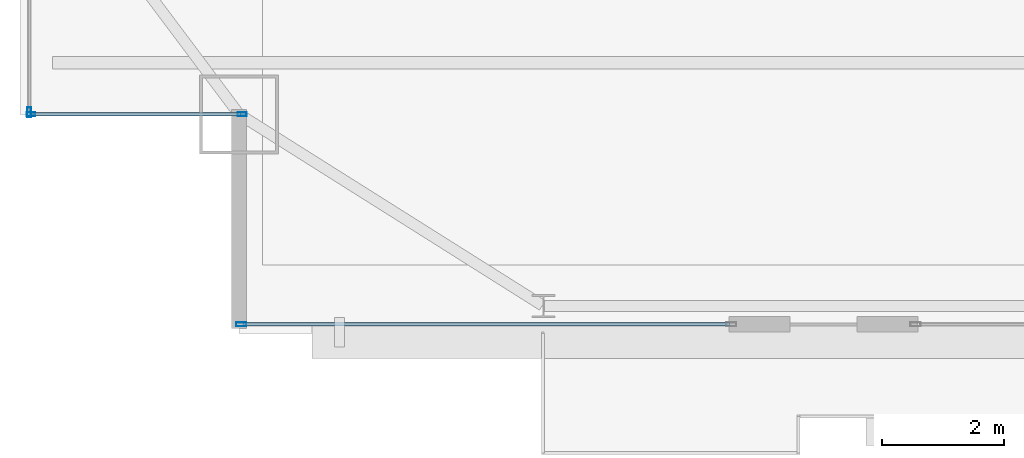
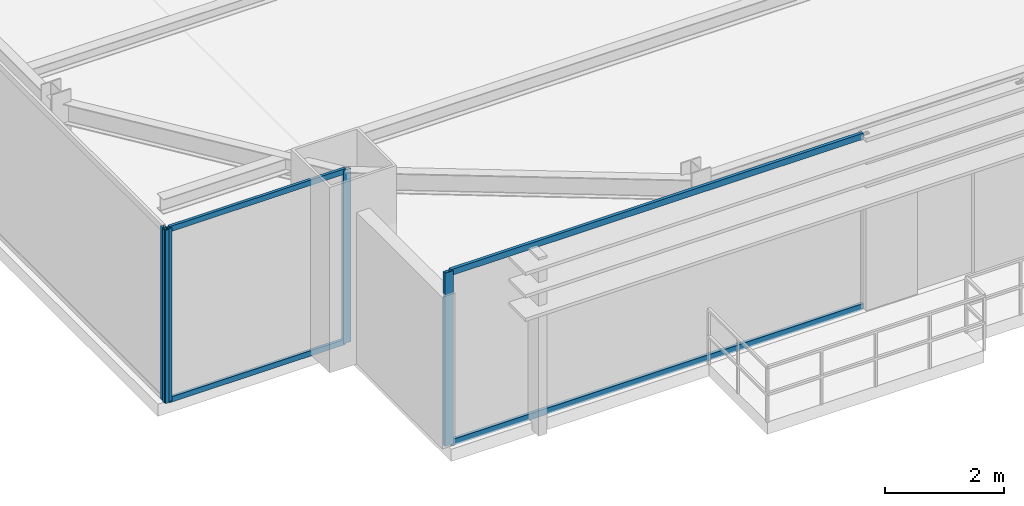
# One storey, part 4 of 32: 8 members, 3 elements without a shape of their own.
"""IFC4 building model written with IfcOpenShell, lengths in metres."""

from ifc_helpers import new_model, si_unit, direction, frame, origin, origin_2d, place, context, subcontext, project, spatial, hollow_rectangle, extrude, source, transform, mapped, material, layer, layer_set, material_profile, profile_set, type_object, type_shapes, element, aggregate, save


model = new_model("IFC4")

# Units and contexts
model_context = context("Model", 3, precision=1e-05, world=origin(), true_north=direction((0.0, 1.0)))
body_context = subcontext(model_context, "Body", "Model", "MODEL_VIEW")
ifc_project = project(units=[si_unit("LENGTHUNIT", "METRE"), si_unit("AREAUNIT", "SQUARE_METRE"), si_unit("VOLUMEUNIT", "CUBIC_METRE"), si_unit("PLANEANGLEUNIT", "RADIAN"), si_unit("MASSUNIT", "GRAM", prefix="KILO")], contexts=[model_context])

# Site, building, storey
site_placement = place(None, origin())
site = spatial("IfcSite", under=ifc_project, at=site_placement, CompositionType="ELEMENT")
building_placement = place(site_placement, origin())
building = spatial("IfcBuilding", under=site, at=building_placement, Name="Varnel Quay Broadcast Tower", CompositionType="ELEMENT")
storey_placement = place(building_placement, frame((0.0, 0.0, 164.800048828125)))
storey = spatial("IfcBuildingStorey", under=building, at=storey_placement, Name="L40", CompositionType="ELEMENT", Elevation=164.800048828125)

# Curtain wall, members
ifc_material = material(Name="Anodised Bronze Aluminium 6063-T6", Category="aluminium")
ifc_layer_1 = layer(ifc_material, 0.18994140625, Name="Anodised Bronze Aluminium 6063-T6")
ifc_layer_set_1 = layer_set([ifc_layer_1], Name="Anodised Bronze Aluminium 6063-T6")
curtain_wall_type_1 = type_object("IfcCurtainWallType", Name="CW_NotchCorner", PredefinedType="NOTDEFINED", material=ifc_layer_set_1)
curtain_wall_1_placement = place(storey_placement, origin())
curtain_wall_1 = element("IfcCurtainWall", 1, at=curtain_wall_1_placement, inside=storey, type_object=curtain_wall_type_1, Name="L40 SW Notch Curtain Wall", PredefinedType="NOTDEFINED")
ifc_material_profile_1 = material_profile(ifc_material, hollow_rectangle(XDim=0.054931640625, YDim=0.110107421875, WallThickness=0.0029296875, at=origin_2d()), Name="ALU55X110X3")
ifc_profile_set_1 = profile_set([ifc_material_profile_1], Name="Anodised Bronze Aluminium 6063-T6")
member_type_1 = type_object("IfcMemberType", Name="Tran_CWS-04", PredefinedType="USERDEFINED", material=ifc_profile_set_1)
shared_shape_1 = source(origin(), body_context, "Body", "SweptSolid", [
    extrude(hollow_rectangle(XDim=0.054931640625, YDim=0.110107421875, WallThickness=0.0029296875, at=origin_2d()), origin(), (0.0, 0.0, 1.0), 3.41015625),
])
type_shapes(member_type_1, [shared_shape_1])
member_1_placement = place(storey_placement, frame((7.2099609375, 10.800048828125, 0.02734375), z_axis=(1.0, 0.0, 0.0), x_axis=(0.0, 1.0, 0.0)))
member_1 = element("IfcMember", 2, at=member_1_placement, type_object=member_type_1, Name="CWS-04 transom 1.1", ObjectType="TRANSOM", PredefinedType="USERDEFINED", context=body_context, shape_type="MappedRepresentation", body=[
    mapped(shared_shape_1, transform((0.0, 0.0, 0.0), x_axis=(1.0, 0.0, 0.0), y_axis=(0.0, 1.0, 0.0), z_axis=(0.0, 0.0, 1.0), scale=1.0)),
])
member_2_placement = place(storey_placement, frame((7.2099609375, 10.800048828125, 3.5224609375), z_axis=(1.0, 0.0, 0.0), x_axis=(0.0, 1.0, 0.0)))
member_2 = element("IfcMember", 3, at=member_2_placement, type_object=member_type_1, Name="CWS-04 transom 1.2", ObjectType="TRANSOM", PredefinedType="USERDEFINED", context=body_context, shape_type="MappedRepresentation", body=[
    mapped(shared_shape_1, transform((0.0, 0.0, 0.0), x_axis=(1.0, 0.0, 0.0), y_axis=(0.0, 1.0, 0.0), z_axis=(0.0, 0.0, 1.0), scale=1.0)),
])
ifc_material_profile_2 = material_profile(ifc_material, hollow_rectangle(XDim=0.06005859375, YDim=0.14501953125, WallThickness=0.00341796875, at=origin_2d()), Name="ALU60X145X3.5")
ifc_profile_set_2 = profile_set([ifc_material_profile_2], Name="Anodised Bronze Aluminium 6063-T6")
member_type_2 = type_object("IfcMemberType", Name="Mull_CWS-04", PredefinedType="MULLION", material=ifc_profile_set_2)
shared_shape_2 = source(origin(), body_context, "Body", "SweptSolid", [
    extrude(hollow_rectangle(XDim=0.06005859375, YDim=0.14501953125, WallThickness=0.00341796875, at=origin_2d()), origin(), (0.0, 0.0, 1.0), 3.550048828125),
])
type_shapes(member_type_2, [shared_shape_2])
member_3_placement = place(storey_placement, frame((7.179931640625, 10.800048828125, 0.0), z_axis=(0.0, 0.0, 1.0), x_axis=(0.0, 1.0, 0.0)))
member_3 = element("IfcMember", 4, at=member_3_placement, type_object=member_type_2, Name="CWS-04 mullion 1", PredefinedType="MULLION", context=body_context, shape_type="MappedRepresentation", body=[
    mapped(shared_shape_2, transform((0.0, 0.0, 0.0), x_axis=(1.0, 0.0, 0.0), y_axis=(0.0, 1.0, 0.0), z_axis=(0.0, 0.0, 1.0), scale=1.0)),
])
member_4_placement = place(storey_placement, frame((10.64990234375, 10.800048828125, 0.0), z_axis=(0.0, 0.0, 1.0), x_axis=(0.0, 1.0, 0.0)))
member_4 = element("IfcMember", 5, at=member_4_placement, type_object=member_type_2, Name="CWS-04 mullion 2", PredefinedType="MULLION", context=body_context, shape_type="MappedRepresentation", body=[
    mapped(shared_shape_2, transform((0.0, 0.0, 0.0), x_axis=(1.0, 0.0, 0.0), y_axis=(0.0, 1.0, 0.0), z_axis=(0.0, 0.0, 1.0), scale=1.0)),
])
aggregate(curtain_wall_1, [member_3, member_4, member_1, member_2])

# Curtain wall, member
ifc_layer_2 = layer(ifc_material, 0.18994140625, Name="Anodised Bronze Aluminium 6063-T6")
ifc_layer_set_2 = layer_set([ifc_layer_2], Name="Anodised Bronze Aluminium 6063-T6")
curtain_wall_type_2 = type_object("IfcCurtainWallType", Name="CW_UpperTower", PredefinedType="NOTDEFINED", material=ifc_layer_set_2)
curtain_wall_2_placement = place(storey_placement, origin())
curtain_wall_2 = element("IfcCurtainWall", 6, at=curtain_wall_2_placement, inside=storey, type_object=curtain_wall_type_2, Name="L40 South Unitised Curtain Wall 1", PredefinedType="NOTDEFINED")
ifc_material_profile_3 = material_profile(ifc_material, hollow_rectangle(XDim=0.06494140625, YDim=0.1650390625, WallThickness=0.00341796875, at=origin_2d()), Name="ALU65X165X3.5")
ifc_profile_set_3 = profile_set([ifc_material_profile_3], Name="Anodised Bronze Aluminium 6063-T6")
member_type_3 = type_object("IfcMemberType", Name="Mull_CWS-03", PredefinedType="MULLION", material=ifc_profile_set_3)
shared_shape_3 = source(origin(), body_context, "Body", "SweptSolid", [
    extrude(hollow_rectangle(XDim=0.06494140625, YDim=0.1650390625, WallThickness=0.00341796875, at=origin_2d()), origin(), (0.0, 0.0, 1.0), 3.550048828125),
])
type_shapes(member_type_3, [shared_shape_3])
member_5_placement = place(storey_placement, frame((10.632568359375, 7.35009765625, 0.0), z_axis=(0.0, 0.0, 1.0), x_axis=(0.0, 1.0, 0.0)))
member_5 = element("IfcMember", 7, at=member_5_placement, type_object=member_type_3, Name="CWS-03 mullion 1", PredefinedType="MULLION", context=body_context, shape_type="MappedRepresentation", body=[
    mapped(shared_shape_3, transform((0.0, 0.0, 0.0), x_axis=(1.0, 0.0, 0.0), y_axis=(0.0, 1.0, 0.0), z_axis=(0.0, 0.0, 1.0), scale=1.0)),
])

curtain_wall_3_placement = place(storey_placement, origin())
curtain_wall_3 = element("IfcCurtainWall", 8, at=curtain_wall_3_placement, inside=storey, type_object=curtain_wall_type_2, Name="L40 West Unitised Curtain Wall", PredefinedType="NOTDEFINED")
member_6_placement = place(storey_placement, frame((7.14990234375, 10.83251953125, 0.0), z_axis=(0.0, 0.0, 1.0), x_axis=(-1.0, 0.0, 0.0)))
member_6 = element("IfcMember", 9, at=member_6_placement, type_object=member_type_3, Name="CWS-03 mullion 1", PredefinedType="MULLION", context=body_context, shape_type="MappedRepresentation", body=[
    mapped(shared_shape_3, transform((0.0, 0.0, 0.0), x_axis=(1.0, 0.0, 0.0), y_axis=(0.0, 1.0, 0.0), z_axis=(0.0, 0.0, 1.0), scale=1.0)),
])
aggregate(curtain_wall_3, [member_6])

# Member
ifc_material_profile_4 = material_profile(ifc_material, hollow_rectangle(XDim=0.06005859375, YDim=0.125, WallThickness=0.0029296875, at=origin_2d()), Name="ALU60X125X3")
ifc_profile_set_4 = profile_set([ifc_material_profile_4], Name="Anodised Bronze Aluminium 6063-T6")
member_type_4 = type_object("IfcMemberType", Name="Tran_CWS-03", PredefinedType="USERDEFINED", material=ifc_profile_set_4)
shared_shape_4 = source(origin(), body_context, "Body", "SweptSolid", [
    extrude(hollow_rectangle(XDim=0.06005859375, YDim=0.125, WallThickness=0.0029296875, at=origin_2d()), origin(), (0.0, 0.0, 1.0), 7.989990234375),
])
type_shapes(member_type_4, [shared_shape_4])
member_7_placement = place(storey_placement, frame((10.6650390625, 7.35009765625, 0.030029296875), z_axis=(1.0, 0.0, 0.0), x_axis=(0.0, 1.0, 0.0)))
member_7 = element("IfcMember", 10, at=member_7_placement, type_object=member_type_4, Name="CWS-03 transom 1.1", ObjectType="TRANSOM", PredefinedType="USERDEFINED", context=body_context, shape_type="MappedRepresentation", body=[
    mapped(shared_shape_4, transform((0.0, 0.0, 0.0), x_axis=(1.0, 0.0, 0.0), y_axis=(0.0, 1.0, 0.0), z_axis=(0.0, 0.0, 1.0), scale=1.0)),
])

member_8_placement = place(storey_placement, frame((10.6650390625, 7.35009765625, 3.52001953125), z_axis=(1.0, 0.0, 0.0), x_axis=(0.0, 1.0, 0.0)))
member_8 = element("IfcMember", 11, at=member_8_placement, type_object=member_type_4, Name="CWS-03 transom 1.2", ObjectType="TRANSOM", PredefinedType="USERDEFINED", context=body_context, shape_type="MappedRepresentation", body=[
    mapped(shared_shape_4, transform((0.0, 0.0, 0.0), x_axis=(1.0, 0.0, 0.0), y_axis=(0.0, 1.0, 0.0), z_axis=(0.0, 0.0, 1.0), scale=1.0)),
])

aggregate(curtain_wall_2, [member_5, member_7, member_8])

save(model, "model.ifc")
